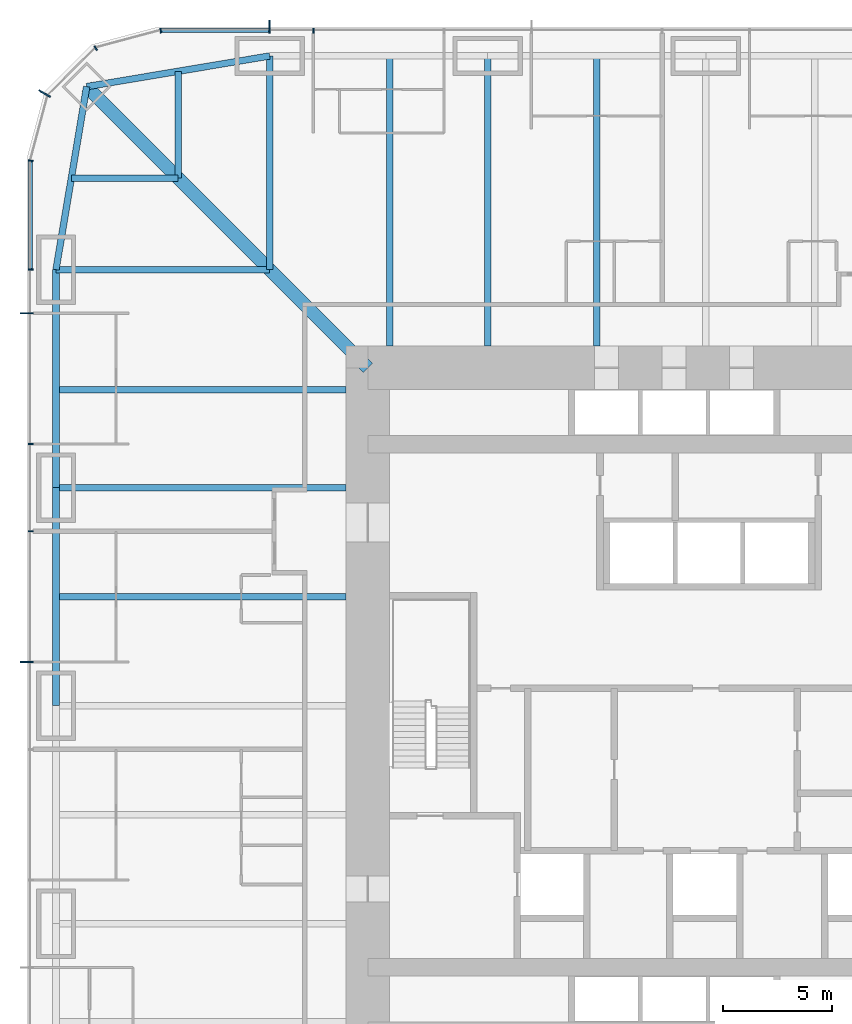
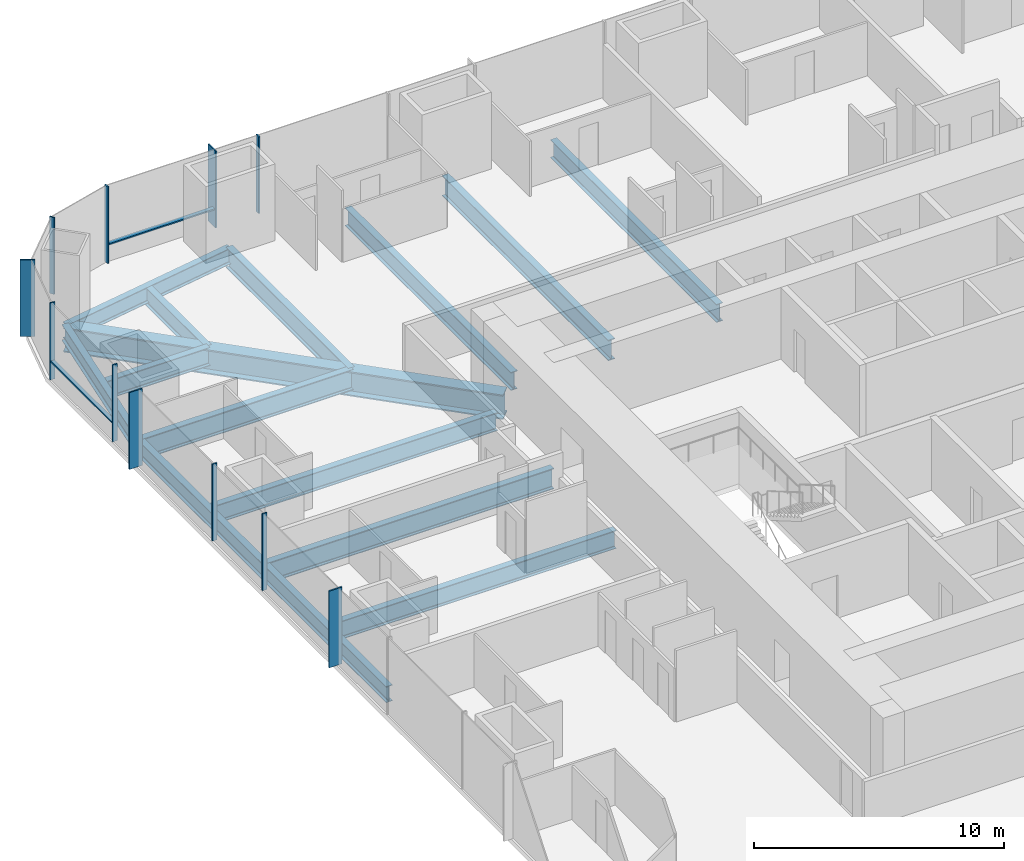
# One storey, part 6 of 17: 15 beams, 13 members, 3 elements without a shape of their own.
"""IFC4 building model written with IfcOpenShell, lengths in metres."""

from ifc_helpers import new_model, si_unit, direction, frame, origin, origin_2d, place, context, subcontext, project, spatial, rectangle, i_section, extrude, material, material_profile, profile_set, type_object, element, aggregate, save


model = new_model("IFC4")

# Units and contexts
model_context = context("Model", 3, precision=1e-05, world=origin(), true_north=direction((0.0, 1.0)))
body_context = subcontext(model_context, "Body", "Model", "MODEL_VIEW")
ifc_project = project(units=[si_unit("LENGTHUNIT", "METRE"), si_unit("AREAUNIT", "SQUARE_METRE"), si_unit("VOLUMEUNIT", "CUBIC_METRE"), si_unit("PLANEANGLEUNIT", "RADIAN"), si_unit("MASSUNIT", "GRAM", prefix="KILO")], contexts=[model_context])

# Site, building, storey
site_placement = place(None, origin())
site = spatial("IfcSite", under=ifc_project, at=site_placement, CompositionType="ELEMENT")
building_placement = place(site_placement, origin())
building = spatial("IfcBuilding", under=site, at=building_placement, Name="Khuree Lantern Residences", CompositionType="ELEMENT")
storey_placement = place(building_placement, frame((0.0, 0.0, 84.75)))
storey = spatial("IfcBuildingStorey", under=building, at=storey_placement, Name="L21", CompositionType="ELEMENT", Elevation=84.75)

# Beams
ifc_material_1 = material(Name="Steel S355", Category="steel")
ifc_material_profile_1 = material_profile(ifc_material_1, i_section(OverallWidth=0.300048828125, OverallDepth=0.889892578125, WebThickness=0.01611328125, FlangeThickness=0.030029296875, FilletRadius=0.030029296875, at=origin_2d()), Name="HE 900 A")
ifc_profile_set_1 = profile_set([ifc_material_profile_1], Name="Steel S355")
beam_type_1 = type_object("IfcBeamType", Name="B-15 SECONDARY BEAM HE 900 A", PredefinedType="BEAM", material=ifc_profile_set_1)
for number, where, z_axis, x_axis, name in (
    (1, (-14.5, 29.800048828125, -0.695068359375), (0.0, -1.0, 0.0), (1.0, 0.0, 0.0), "Secondary beam N1"),
    (2, (-5.0, 29.800048828125, -0.695068359375), (0.0, -1.0, 0.0), (1.0, 0.0, 0.0), "Secondary beam N2"),
    (3, (-29.800048828125, 5.0, -0.695068359375), (1.0, 0.0, 0.0), (0.0, 1.0, 0.0), "Secondary beam W4"),
    (4, (-29.800048828125, 14.5, -0.695068359375), (1.0, 0.0, 0.0), (0.0, 1.0, 0.0), "Secondary beam W5"),
):
    element("IfcBeam", number, at=place(storey_placement, frame(where, z_axis=z_axis, x_axis=x_axis)), inside=storey, type_object=beam_type_1, Name=name, PredefinedType="BEAM", context=body_context, shape_type="SweptSolid", body=[
        extrude(i_section(OverallWidth=0.300048828125, OverallDepth=0.889892578125, WebThickness=0.01611328125, FlangeThickness=0.030029296875, FilletRadius=0.030029296875, at=origin_2d()), origin(), (0.0, 0.0, 1.0), 13.300048828125),
    ])
for number, where, z_axis, x_axis, name in (
    (5, (-29.09716796875, 24.197021484375, -0.695068359375), (1.0, 0.0, 0.0), (0.0, 1.0, 0.0), "Secondary beam W6"),
    (6, (-24.197021484375, 29.09716796875, -0.695068359375), (0.0, -1.0, 0.0), (1.0, 0.0, 0.0), "Secondary beam N6"),
):
    element("IfcBeam", number, at=place(storey_placement, frame(where, z_axis=z_axis, x_axis=x_axis)), inside=storey, type_object=beam_type_1, Name=name, PredefinedType="BEAM", context=body_context, shape_type="SweptSolid", body=[
        extrude(i_section(OverallWidth=0.300048828125, OverallDepth=0.889892578125, WebThickness=0.01611328125, FlangeThickness=0.030029296875, FilletRadius=0.030029296875, at=origin_2d()), origin(), (0.0, 0.0, 1.0), 4.900146484375),
    ])
ifc_material_profile_2 = material_profile(ifc_material_1, i_section(OverallWidth=0.300048828125, OverallDepth=0.7900390625, WebThickness=0.014892578125, FlangeThickness=0.028076171875, FilletRadius=0.030029296875, at=origin_2d()), Name="HE 800 A")
ifc_profile_set_2 = profile_set([ifc_material_profile_2], Name="Steel S355")
beam_type_2 = type_object("IfcBeamType", Name="E-15 SPANDREL BEAM HE 800 A", PredefinedType="SPANDREL", material=ifc_profile_set_2)
for number, where, z_axis, x_axis, name in (
    (7, (-29.800048828125, 0.0, -0.64501953125), (0.0, 1.0, 0.0), (-1.0, 0.0, 0.0), "Spandrel beam W4"),
    (8, (-29.800048828125, 10.0, -0.64501953125), (0.0, 1.0, 0.0), (-1.0, 0.0, 0.0), "Spandrel beam W5"),
):
    element("IfcBeam", number, at=place(storey_placement, frame(where, z_axis=z_axis, x_axis=x_axis)), inside=storey, type_object=beam_type_2, Name=name, PredefinedType="SPANDREL", context=body_context, shape_type="SweptSolid", body=[
        extrude(i_section(OverallWidth=0.300048828125, OverallDepth=0.7900390625, WebThickness=0.014892578125, FlangeThickness=0.028076171875, FilletRadius=0.030029296875, at=origin_2d()), origin(), (0.0, 0.0, 1.0), 10.0),
    ])
for number, where, z_axis, x_axis, name in (
    (9, (-29.800048828125, 20.0, -0.64501953125), (0.165199022349, 0.986260251158, 0.0), (-0.986260251158, 0.165199022349, 0.0), "Spandrel beam W6"),
    (10, (-28.39404296875, 28.39404296875, -0.64501953125), (0.986260251158, 0.165199022349, 0.0), (-0.165199022349, 0.986260251158, 0.0), "Spandrel beam N6"),
):
    element("IfcBeam", number, at=place(storey_placement, frame(where, z_axis=z_axis, x_axis=x_axis)), inside=storey, type_object=beam_type_2, Name=name, PredefinedType="SPANDREL", context=body_context, shape_type="SweptSolid", body=[
        extrude(i_section(OverallWidth=0.300048828125, OverallDepth=0.7900390625, WebThickness=0.014892578125, FlangeThickness=0.028076171875, FilletRadius=0.030029296875, at=origin_2d()), origin(), (0.0, 0.0, 1.0), 8.510986328125),
    ])

# Curtain wall, member
ifc_material_2 = material(Name="Bronze anodised aluminium", Category="aluminium")
curtain_wall_type_1 = type_object("IfcCurtainWallType", Name="CW-T1 TOWER FACE CURTAIN WALL", PredefinedType="USERDEFINED", material=ifc_material_2)
curtain_wall_1_placement = place(storey_placement, origin())
curtain_wall_1 = element("IfcCurtainWall", 11, at=curtain_wall_1_placement, inside=storey, type_object=curtain_wall_type_1, Name="L21 NORTH FACE CURTAIN WALL", ObjectType="Stick-built curtain wall", PredefinedType="USERDEFINED")
ifc_material_profile_3 = material_profile(ifc_material_2, rectangle(XDim=0.06494140625, YDim=0.60009765625, at=origin_2d()), Name="F1 65X600")
ifc_profile_set_3 = profile_set([ifc_material_profile_3], Name="Bronze anodised aluminium")
member_type_1 = type_object("IfcMemberType", Name="F1 BRONZE FIN MULLION TOWER 65X600", PredefinedType="MULLION", material=ifc_profile_set_3)
member_1_placement = place(storey_placement, frame((-20.0, 31.14990234375, 0.0), z_axis=(0.0, 0.0, 1.0), x_axis=(-1.0, 0.0, 0.0)))
member_1 = element("IfcMember", 12, at=member_1_placement, type_object=member_type_1, Name="L21 NORTH FACE FIN MULLION 28", PredefinedType="MULLION", context=body_context, shape_type="SweptSolid", body=[
    extrude(rectangle(XDim=0.06494140625, YDim=0.60009765625, at=origin_2d()), origin(), (0.0, 0.0, 1.0), 3.75),
])

curtain_wall_type_2 = type_object("IfcCurtainWallType", Name="CW-T2 TOWER CORNER CURTAIN WALL", PredefinedType="USERDEFINED", material=ifc_material_2)
curtain_wall_2_placement = place(storey_placement, origin())
curtain_wall_2 = element("IfcCurtainWall", 13, at=curtain_wall_2_placement, inside=storey, type_object=curtain_wall_type_2, Name="L21 NORTH-WEST CORNER CURTAIN WALL", ObjectType="Faceted corner curtain wall", PredefinedType="USERDEFINED")
member_2_placement = place(storey_placement, frame((-30.326171875, 28.074951171875, 0.0), z_axis=(0.0, 0.0, 1.0), x_axis=(-0.500000056923, -0.86602537092, 0.0)))
member_2 = element("IfcMember", 14, at=member_2_placement, type_object=member_type_1, Name="L21 NORTH-WEST CORNER FIN MULLION 31", PredefinedType="MULLION", context=body_context, shape_type="SweptSolid", body=[
    extrude(rectangle(XDim=0.06494140625, YDim=0.60009765625, at=origin_2d()), origin(), (0.0, 0.0, 1.0), 3.75),
])

# Curtain wall, members
curtain_wall_3_placement = place(storey_placement, origin())
curtain_wall_3 = element("IfcCurtainWall", 15, at=curtain_wall_3_placement, inside=storey, type_object=curtain_wall_type_1, Name="L21 WEST FACE CURTAIN WALL", ObjectType="Stick-built curtain wall", PredefinedType="USERDEFINED")
member_3_placement = place(storey_placement, frame((-31.14990234375, 18.0, 0.0), z_axis=(0.0, 0.0, 1.0), x_axis=(0.0, -1.0, 0.0)))
member_3 = element("IfcMember", 16, at=member_3_placement, type_object=member_type_1, Name="L21 WEST FACE FIN MULLION 34", PredefinedType="MULLION", context=body_context, shape_type="SweptSolid", body=[
    extrude(rectangle(XDim=0.06494140625, YDim=0.60009765625, at=origin_2d()), origin(), (0.0, 0.0, 1.0), 3.75),
])
member_4_placement = place(storey_placement, frame((-31.14990234375, 2.0, 0.0), z_axis=(0.0, 0.0, 1.0), x_axis=(0.0, -1.0, 0.0)))
member_4 = element("IfcMember", 17, at=member_4_placement, type_object=member_type_1, Name="L21 WEST FACE FIN MULLION 37", PredefinedType="MULLION", context=body_context, shape_type="SweptSolid", body=[
    extrude(rectangle(XDim=0.06494140625, YDim=0.60009765625, at=origin_2d()), origin(), (0.0, 0.0, 1.0), 3.75),
])

# Beams
ifc_material_profile_4 = material_profile(ifc_material_1, i_section(OverallWidth=0.302001953125, OverallDepth=1.008056640625, WebThickness=0.02099609375, FlangeThickness=0.0400390625, FilletRadius=0.030029296875, at=origin_2d()), Name="HE 1000 M")
ifc_profile_set_4 = profile_set([ifc_material_profile_4], Name="Steel S355")
beam_type_3 = type_object("IfcBeamType", Name="G-15 GIRDER HE 1000 M", PredefinedType="BEAM", material=ifc_profile_set_4)
beam_1_placement = place(storey_placement, frame((-20.0, 29.800048828125, -0.75390625), z_axis=(0.0, -1.0, 0.0), x_axis=(1.0, 0.0, 0.0)))
element("IfcBeam", 18, at=beam_1_placement, inside=storey, type_object=beam_type_3, Name="Girder N1", PredefinedType="BEAM", context=body_context, shape_type="SweptSolid", body=[
    extrude(i_section(OverallWidth=0.302001953125, OverallDepth=1.008056640625, WebThickness=0.02099609375, FlangeThickness=0.0400390625, FilletRadius=0.030029296875, at=origin_2d()), origin(), (0.0, 0.0, 1.0), 9.800048828125),
])
for number, where, z_axis, x_axis, name in (
    (19, (-10.0, 29.800048828125, -0.75390625), (0.0, -1.0, 0.0), (1.0, 0.0, 0.0), "Girder N2"),
    (20, (-29.800048828125, 10.0, -0.75390625), (1.0, 0.0, 0.0), (0.0, 1.0, 0.0), "Girder W4"),
):
    element("IfcBeam", number, at=place(storey_placement, frame(where, z_axis=z_axis, x_axis=x_axis)), inside=storey, type_object=beam_type_3, Name=name, PredefinedType="BEAM", context=body_context, shape_type="SweptSolid", body=[
        extrude(i_section(OverallWidth=0.302001953125, OverallDepth=1.008056640625, WebThickness=0.02099609375, FlangeThickness=0.0400390625, FilletRadius=0.030029296875, at=origin_2d()), origin(), (0.0, 0.0, 1.0), 13.300048828125),
    ])
beam_2_placement = place(storey_placement, frame((-29.800048828125, 20.0, -0.75390625), z_axis=(1.0, 0.0, 0.0), x_axis=(0.0, 1.0, 0.0)))
element("IfcBeam", 21, at=beam_2_placement, inside=storey, type_object=beam_type_3, Name="Girder W5", PredefinedType="BEAM", context=body_context, shape_type="SweptSolid", body=[
    extrude(i_section(OverallWidth=0.302001953125, OverallDepth=1.008056640625, WebThickness=0.02099609375, FlangeThickness=0.0400390625, FilletRadius=0.030029296875, at=origin_2d()), origin(), (0.0, 0.0, 1.0), 9.800048828125),
])
ifc_material_profile_5 = material_profile(ifc_material_1, i_section(OverallWidth=0.60009765625, OverallDepth=1.199951171875, WebThickness=0.030029296875, FlangeThickness=0.06005859375, at=origin_2d()), Name="WELDED I 1200X600X30X60")
ifc_profile_set_5 = profile_set([ifc_material_profile_5], Name="Steel S355")
beam_type_4 = type_object("IfcBeamType", Name="GD-15 CORNER GIRDER WELDED I 1200X600X30X60", PredefinedType="BEAM", material=ifc_profile_set_5)
beam_3_placement = place(storey_placement, frame((-28.39404296875, 28.39404296875, -0.85009765625), z_axis=(0.707106781187, -0.707106781187, 0.0), x_axis=(0.707106781187, 0.707106781187, 0.0)))
element("IfcBeam", 22, at=beam_3_placement, inside=storey, type_object=beam_type_4, Name="Corner girder NW", PredefinedType="BEAM", context=body_context, shape_type="SweptSolid", body=[
    extrude(i_section(OverallWidth=0.60009765625, OverallDepth=1.199951171875, WebThickness=0.030029296875, FlangeThickness=0.06005859375, at=origin_2d()), origin(), (0.0, 0.0, 1.0), 18.23486328125),
])

# Member
ifc_material_profile_6 = material_profile(ifc_material_2, rectangle(XDim=0.06494140625, YDim=0.219970703125, at=origin_2d()), Name="M1 65X220")
ifc_profile_set_6 = profile_set([ifc_material_profile_6], Name="Bronze anodised aluminium")
member_type_2 = type_object("IfcMemberType", Name="M1 BRONZE MULLION TOWER 65X220", PredefinedType="MULLION", material=ifc_profile_set_6)
member_5_placement = place(storey_placement, frame((-18.0, 30.9599609375, 0.0), z_axis=(0.0, 0.0, 1.0), x_axis=(-1.0, 0.0, 0.0)))
member_5 = element("IfcMember", 23, at=member_5_placement, type_object=member_type_2, Name="L21 NORTH FACE MULLION 27", PredefinedType="MULLION", context=body_context, shape_type="SweptSolid", body=[
    extrude(rectangle(XDim=0.06494140625, YDim=0.219970703125, at=origin_2d()), origin(), (0.0, 0.0, 1.0), 3.75),
])

member_6_placement = place(storey_placement, frame((-24.994873046875, 30.961669921875, 0.0), z_axis=(0.0, 0.0, 1.0), x_axis=(-0.991444852794, -0.130526257387, 0.0)))
member_6 = element("IfcMember", 24, at=member_6_placement, type_object=member_type_2, Name="L21 NORTH-WEST CORNER MULLION 29", PredefinedType="MULLION", context=body_context, shape_type="SweptSolid", body=[
    extrude(rectangle(XDim=0.06494140625, YDim=0.219970703125, at=origin_2d()), origin(), (0.0, 0.0, 1.0), 3.75),
])

member_7_placement = place(storey_placement, frame((-27.97998046875, 30.16162109375, 0.0), z_axis=(0.0, 0.0, 1.0), x_axis=(-0.86602537092, -0.500000056923, 0.0)))
member_7 = element("IfcMember", 25, at=member_7_placement, type_object=member_type_2, Name="L21 NORTH-WEST CORNER MULLION 30", PredefinedType="MULLION", context=body_context, shape_type="SweptSolid", body=[
    extrude(rectangle(XDim=0.06494140625, YDim=0.219970703125, at=origin_2d()), origin(), (0.0, 0.0, 1.0), 3.75),
])

aggregate(curtain_wall_2, [member_6, member_7, member_2])

member_8_placement = place(storey_placement, frame((-30.961669921875, 24.994873046875, 0.0), z_axis=(0.0, 0.0, 1.0), x_axis=(-0.130526257387, -0.991444852794, 0.0)))
member_8 = element("IfcMember", 26, at=member_8_placement, type_object=member_type_2, Name="L21 WEST FACE MULLION 32", PredefinedType="MULLION", context=body_context, shape_type="SweptSolid", body=[
    extrude(rectangle(XDim=0.06494140625, YDim=0.219970703125, at=origin_2d()), origin(), (0.0, 0.0, 1.0), 3.75),
])

member_9_placement = place(storey_placement, frame((-30.9599609375, 20.0, 0.0), z_axis=(0.0, 0.0, 1.0), x_axis=(0.0, -1.0, 0.0)))
member_9 = element("IfcMember", 27, at=member_9_placement, type_object=member_type_2, Name="L21 WEST FACE MULLION 33", PredefinedType="MULLION", context=body_context, shape_type="SweptSolid", body=[
    extrude(rectangle(XDim=0.06494140625, YDim=0.219970703125, at=origin_2d()), origin(), (0.0, 0.0, 1.0), 3.75),
])

member_10_placement = place(storey_placement, frame((-30.9599609375, 12.0, 0.0), z_axis=(0.0, 0.0, 1.0), x_axis=(0.0, -1.0, 0.0)))
member_10 = element("IfcMember", 28, at=member_10_placement, type_object=member_type_2, Name="L21 WEST FACE MULLION 35", PredefinedType="MULLION", context=body_context, shape_type="SweptSolid", body=[
    extrude(rectangle(XDim=0.06494140625, YDim=0.219970703125, at=origin_2d()), origin(), (0.0, 0.0, 1.0), 3.75),
])

member_11_placement = place(storey_placement, frame((-30.9599609375, 8.0, 0.0), z_axis=(0.0, 0.0, 1.0), x_axis=(0.0, -1.0, 0.0)))
member_11 = element("IfcMember", 29, at=member_11_placement, type_object=member_type_2, Name="L21 WEST FACE MULLION 36", PredefinedType="MULLION", context=body_context, shape_type="SweptSolid", body=[
    extrude(rectangle(XDim=0.06494140625, YDim=0.219970703125, at=origin_2d()), origin(), (0.0, 0.0, 1.0), 3.75),
])

ifc_material_profile_7 = material_profile(ifc_material_2, rectangle(XDim=0.179931640625, YDim=0.06494140625, at=origin_2d()), Name="T1 180X65")
ifc_profile_set_7 = profile_set([ifc_material_profile_7], Name="Bronze anodised aluminium")
member_type_3 = type_object("IfcMemberType", Name="TRANSOM T1 TOWER 180X65", PredefinedType="USERDEFINED", material=ifc_profile_set_7)
member_12_placement = place(storey_placement, frame((-20.032470703125, 30.969970703125, 0.89990234375), z_axis=(-1.0, 0.0, 0.0), x_axis=(0.0, -1.0, 0.0)))
member_12 = element("IfcMember", 30, at=member_12_placement, type_object=member_type_3, Name="L21 NORTH FACE TRANSOM 28.1", ObjectType="Transom", PredefinedType="USERDEFINED", context=body_context, shape_type="SweptSolid", body=[
    extrude(rectangle(XDim=0.179931640625, YDim=0.06494140625, at=origin_2d()), origin(), (0.0, 0.0, 1.0), 4.9189453125),
])

aggregate(curtain_wall_1, [member_5, member_1, member_12])

member_13_placement = place(storey_placement, frame((-30.969970703125, 24.951416015625, 0.89990234375), z_axis=(0.0, -1.0, 0.0), x_axis=(1.0, 0.0, 0.0)))
member_13 = element("IfcMember", 31, at=member_13_placement, type_object=member_type_3, Name="L21 WEST FACE TRANSOM 32.1", ObjectType="Transom", PredefinedType="USERDEFINED", context=body_context, shape_type="SweptSolid", body=[
    extrude(rectangle(XDim=0.179931640625, YDim=0.06494140625, at=origin_2d()), origin(), (0.0, 0.0, 1.0), 4.9189453125),
])

aggregate(curtain_wall_3, [member_8, member_9, member_3, member_10, member_11, member_4, member_13])

save(model, "model.ifc")
